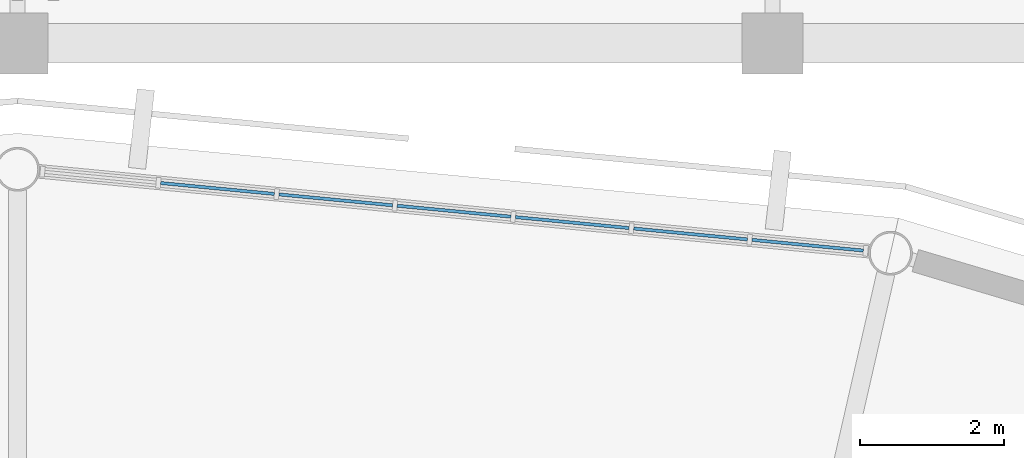
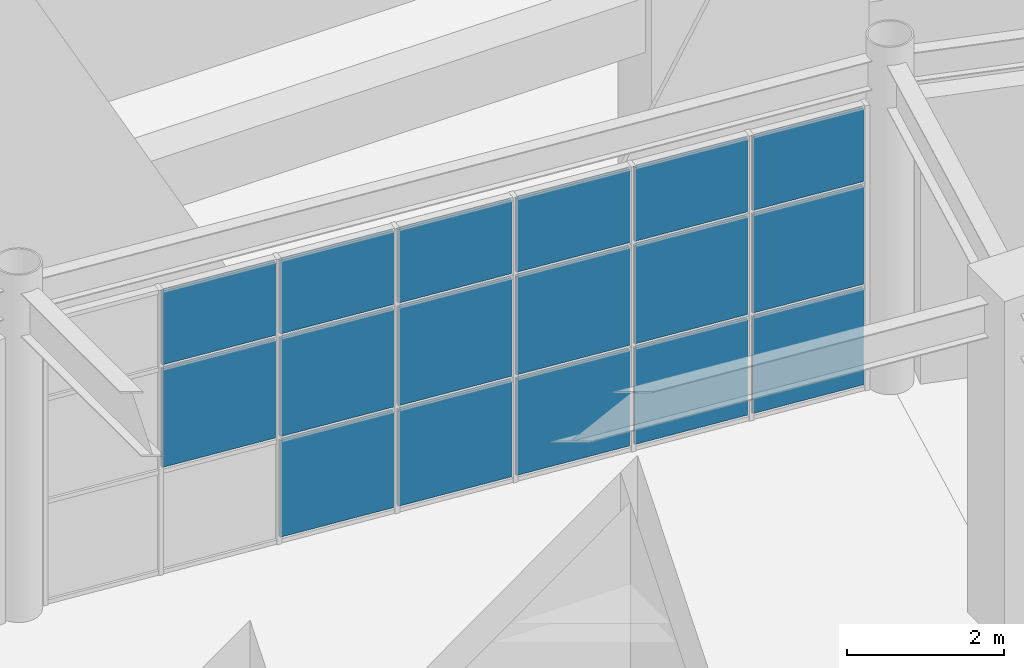
# One storey, part 65 of 120: 17 plates, 1 element without a shape of its own.
"""IFC4 building model written with IfcOpenShell, lengths in metres."""

from ifc_helpers import new_model, si_unit, direction, frame, origin, origin_2d, place, context, subcontext, project, spatial, rectangle, extrude, material, layer, layer_set, type_object, element, aggregate, save


model = new_model("IFC4")

# Units and contexts
model_context = context("Model", 3, precision=1e-05, world=origin(), true_north=direction((0.0, 1.0)))
body_context = subcontext(model_context, "Body", "Model", "MODEL_VIEW")
ifc_project = project(units=[si_unit("LENGTHUNIT", "METRE"), si_unit("AREAUNIT", "SQUARE_METRE"), si_unit("VOLUMEUNIT", "CUBIC_METRE"), si_unit("PLANEANGLEUNIT", "RADIAN"), si_unit("MASSUNIT", "GRAM", prefix="KILO")], contexts=[model_context])

# Site, building, storey
site_placement = place(None, origin())
site = spatial("IfcSite", under=ifc_project, at=site_placement, CompositionType="ELEMENT")
building_placement = place(site_placement, origin())
building = spatial("IfcBuilding", under=site, at=building_placement, Name="Cuetzalor Civic Arena", CompositionType="ELEMENT")
storey_placement = place(building_placement, frame((0.0, 0.0, 6.0)))
storey = spatial("IfcBuildingStorey", under=building, at=storey_placement, Name="L01", CompositionType="ELEMENT", Elevation=6.0)

# Curtain wall, plates
ifc_material_1 = material(Name="Anodised dark bronze aluminium and low-E solar glass", Category="aluminium")
curtain_wall_type = type_object("IfcCurtainWallType", Name="UnitisedCW_11550x4450", PredefinedType="USERDEFINED", material=ifc_material_1)
curtain_wall_placement = place(storey_placement, origin())
curtain_wall = element("IfcCurtainWall", 1, at=curtain_wall_placement, inside=storey, type_object=curtain_wall_type, Name="Drum Triangle Foyer Curtain Wall L01-023", ObjectType="UNITISED CURTAIN WALL", PredefinedType="USERDEFINED")
ifc_material_2 = material(Name="Acoustic laminated solar control glass", Category="glass")
ifc_layer = layer(ifc_material_2, 0.0439453125)
ifc_layer_set = layer_set([ifc_layer], Name="Acoustic laminated solar control glass")
plate_type = type_object("IfcPlateType", Name="AcousticTripleGlazedPanel_44", PredefinedType="CURTAIN_PANEL", material=ifc_layer_set)
plate_1_placement = place(storey_placement, frame((2.780029296875, 46.28271484375, 1.62841796875), z_axis=(0.0, 0.0, 1.0), x_axis=(0.995409139996, -0.095711253324, 0.0)))
plate_1 = element("IfcPlate", 2, at=plate_1_placement, type_object=plate_type, Name="CW-08 panel 2.2", PredefinedType="CURTAIN_PANEL", context=body_context, shape_type="SweptSolid", body=[
    extrude(rectangle(XDim=1.587158203125, YDim=0.0439453125, at=origin_2d()), origin(), (0.0, 0.0, 1.0), 1.530029296875),
])
plate_2_placement = place(storey_placement, frame((2.780029296875, 46.28271484375, 3.223388671875), z_axis=(0.0, 0.0, 1.0), x_axis=(0.995409139996, -0.095711253324, 0.0)))
plate_2 = element("IfcPlate", 3, at=plate_2_placement, type_object=plate_type, Name="CW-08 panel 2.3", PredefinedType="CURTAIN_PANEL", context=body_context, shape_type="SweptSolid", body=[
    extrude(rectangle(XDim=1.587158203125, YDim=0.0439453125, at=origin_2d()), origin(), (0.0, 0.0, 1.0), 1.1435546875),
])
plate_3_placement = place(storey_placement, frame((4.4248046875, 46.12451171875, 0.06494140625), z_axis=(0.0, 0.0, 1.0), x_axis=(0.995409139996, -0.095711253324, 0.0)))
plate_3 = element("IfcPlate", 4, at=plate_3_placement, type_object=plate_type, Name="CW-08 panel 3.1", PredefinedType="CURTAIN_PANEL", context=body_context, shape_type="SweptSolid", body=[
    extrude(rectangle(XDim=1.587158203125, YDim=0.0439453125, at=origin_2d()), origin(), (0.0, 0.0, 1.0), 1.49853515625),
])
plate_4_placement = place(storey_placement, frame((4.4248046875, 46.12451171875, 1.62841796875), z_axis=(0.0, 0.0, 1.0), x_axis=(0.995409139996, -0.095711253324, 0.0)))
plate_4 = element("IfcPlate", 5, at=plate_4_placement, type_object=plate_type, Name="CW-08 panel 3.2", PredefinedType="CURTAIN_PANEL", context=body_context, shape_type="SweptSolid", body=[
    extrude(rectangle(XDim=1.587158203125, YDim=0.0439453125, at=origin_2d()), origin(), (0.0, 0.0, 1.0), 1.530029296875),
])
plate_5_placement = place(storey_placement, frame((4.4248046875, 46.12451171875, 3.223388671875), z_axis=(0.0, 0.0, 1.0), x_axis=(0.995409139996, -0.095711253324, 0.0)))
plate_5 = element("IfcPlate", 6, at=plate_5_placement, type_object=plate_type, Name="CW-08 panel 3.3", PredefinedType="CURTAIN_PANEL", context=body_context, shape_type="SweptSolid", body=[
    extrude(rectangle(XDim=1.587158203125, YDim=0.0439453125, at=origin_2d()), origin(), (0.0, 0.0, 1.0), 1.1435546875),
])
plate_6_placement = place(storey_placement, frame((6.0693359375, 45.966552734375, 0.06494140625), z_axis=(0.0, 0.0, 1.0), x_axis=(0.995409139996, -0.095711253324, 0.0)))
plate_6 = element("IfcPlate", 7, at=plate_6_placement, type_object=plate_type, Name="CW-08 panel 4.1", PredefinedType="CURTAIN_PANEL", context=body_context, shape_type="SweptSolid", body=[
    extrude(rectangle(XDim=1.587158203125, YDim=0.0439453125, at=origin_2d()), origin(), (0.0, 0.0, 1.0), 1.49853515625),
])
plate_7_placement = place(storey_placement, frame((6.0693359375, 45.966552734375, 1.62841796875), z_axis=(0.0, 0.0, 1.0), x_axis=(0.995409139996, -0.095711253324, 0.0)))
plate_7 = element("IfcPlate", 8, at=plate_7_placement, type_object=plate_type, Name="CW-08 panel 4.2", PredefinedType="CURTAIN_PANEL", context=body_context, shape_type="SweptSolid", body=[
    extrude(rectangle(XDim=1.587158203125, YDim=0.0439453125, at=origin_2d()), origin(), (0.0, 0.0, 1.0), 1.530029296875),
])
plate_8_placement = place(storey_placement, frame((6.0693359375, 45.966552734375, 3.223388671875), z_axis=(0.0, 0.0, 1.0), x_axis=(0.995409139996, -0.095711253324, 0.0)))
plate_8 = element("IfcPlate", 9, at=plate_8_placement, type_object=plate_type, Name="CW-08 panel 4.3", PredefinedType="CURTAIN_PANEL", context=body_context, shape_type="SweptSolid", body=[
    extrude(rectangle(XDim=1.587158203125, YDim=0.0439453125, at=origin_2d()), origin(), (0.0, 0.0, 1.0), 1.1435546875),
])
plate_9_placement = place(storey_placement, frame((7.7138671875, 45.808349609375, 0.06494140625), z_axis=(0.0, 0.0, 1.0), x_axis=(0.995409139996, -0.095711253324, 0.0)))
plate_9 = element("IfcPlate", 10, at=plate_9_placement, type_object=plate_type, Name="CW-08 panel 5.1", PredefinedType="CURTAIN_PANEL", context=body_context, shape_type="SweptSolid", body=[
    extrude(rectangle(XDim=1.587158203125, YDim=0.0439453125, at=origin_2d()), origin(), (0.0, 0.0, 1.0), 1.49853515625),
])
plate_10_placement = place(storey_placement, frame((7.7138671875, 45.808349609375, 1.62841796875), z_axis=(0.0, 0.0, 1.0), x_axis=(0.995409139996, -0.095711253324, 0.0)))
plate_10 = element("IfcPlate", 11, at=plate_10_placement, type_object=plate_type, Name="CW-08 panel 5.2", PredefinedType="CURTAIN_PANEL", context=body_context, shape_type="SweptSolid", body=[
    extrude(rectangle(XDim=1.587158203125, YDim=0.0439453125, at=origin_2d()), origin(), (0.0, 0.0, 1.0), 1.530029296875),
])
plate_11_placement = place(storey_placement, frame((7.7138671875, 45.808349609375, 3.223388671875), z_axis=(0.0, 0.0, 1.0), x_axis=(0.995409139996, -0.095711253324, 0.0)))
plate_11 = element("IfcPlate", 12, at=plate_11_placement, type_object=plate_type, Name="CW-08 panel 5.3", PredefinedType="CURTAIN_PANEL", context=body_context, shape_type="SweptSolid", body=[
    extrude(rectangle(XDim=1.587158203125, YDim=0.0439453125, at=origin_2d()), origin(), (0.0, 0.0, 1.0), 1.1435546875),
])
plate_12_placement = place(storey_placement, frame((9.3583984375, 45.650146484375, 0.06494140625), z_axis=(0.0, 0.0, 1.0), x_axis=(0.995409139996, -0.095711253324, 0.0)))
plate_12 = element("IfcPlate", 13, at=plate_12_placement, type_object=plate_type, Name="CW-08 panel 6.1", PredefinedType="CURTAIN_PANEL", context=body_context, shape_type="SweptSolid", body=[
    extrude(rectangle(XDim=1.587158203125, YDim=0.0439453125, at=origin_2d()), origin(), (0.0, 0.0, 1.0), 1.49853515625),
])
plate_13_placement = place(storey_placement, frame((9.3583984375, 45.650146484375, 1.62841796875), z_axis=(0.0, 0.0, 1.0), x_axis=(0.995409139996, -0.095711253324, 0.0)))
plate_13 = element("IfcPlate", 14, at=plate_13_placement, type_object=plate_type, Name="CW-08 panel 6.2", PredefinedType="CURTAIN_PANEL", context=body_context, shape_type="SweptSolid", body=[
    extrude(rectangle(XDim=1.587158203125, YDim=0.0439453125, at=origin_2d()), origin(), (0.0, 0.0, 1.0), 1.530029296875),
])
plate_14_placement = place(storey_placement, frame((9.3583984375, 45.650146484375, 3.223388671875), z_axis=(0.0, 0.0, 1.0), x_axis=(0.995409139996, -0.095711253324, 0.0)))
plate_14 = element("IfcPlate", 15, at=plate_14_placement, type_object=plate_type, Name="CW-08 panel 6.3", PredefinedType="CURTAIN_PANEL", context=body_context, shape_type="SweptSolid", body=[
    extrude(rectangle(XDim=1.587158203125, YDim=0.0439453125, at=origin_2d()), origin(), (0.0, 0.0, 1.0), 1.1435546875),
])
plate_15_placement = place(storey_placement, frame((10.98681640625, 45.49365234375, 0.06494140625), z_axis=(0.0, 0.0, 1.0), x_axis=(0.995409139996, -0.095711253324, 0.0)))
plate_15 = element("IfcPlate", 16, at=plate_15_placement, type_object=plate_type, Name="CW-08 panel 7.1", PredefinedType="CURTAIN_PANEL", context=body_context, shape_type="SweptSolid", body=[
    extrude(rectangle(XDim=1.5546875, YDim=0.0439453125, at=origin_2d()), origin(), (0.0, 0.0, 1.0), 1.49853515625),
])
plate_16_placement = place(storey_placement, frame((10.98681640625, 45.49365234375, 1.62841796875), z_axis=(0.0, 0.0, 1.0), x_axis=(0.995409139996, -0.095711253324, 0.0)))
plate_16 = element("IfcPlate", 17, at=plate_16_placement, type_object=plate_type, Name="CW-08 panel 7.2", PredefinedType="CURTAIN_PANEL", context=body_context, shape_type="SweptSolid", body=[
    extrude(rectangle(XDim=1.5546875, YDim=0.0439453125, at=origin_2d()), origin(), (0.0, 0.0, 1.0), 1.530029296875),
])
plate_17_placement = place(storey_placement, frame((10.98681640625, 45.49365234375, 3.223388671875), z_axis=(0.0, 0.0, 1.0), x_axis=(0.995409139996, -0.095711253324, 0.0)))
plate_17 = element("IfcPlate", 18, at=plate_17_placement, type_object=plate_type, Name="CW-08 panel 7.3", PredefinedType="CURTAIN_PANEL", context=body_context, shape_type="SweptSolid", body=[
    extrude(rectangle(XDim=1.5546875, YDim=0.0439453125, at=origin_2d()), origin(), (0.0, 0.0, 1.0), 1.1435546875),
])
aggregate(curtain_wall, [plate_1, plate_2, plate_3, plate_4, plate_5, plate_6, plate_7, plate_8, plate_9, plate_10, plate_11, plate_12, plate_13, plate_14, plate_15, plate_16, plate_17])

save(model, "model.ifc")
